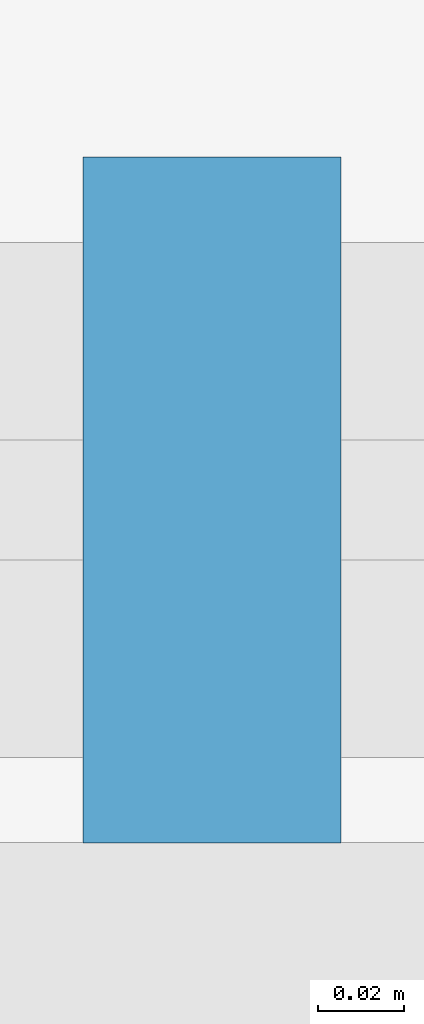
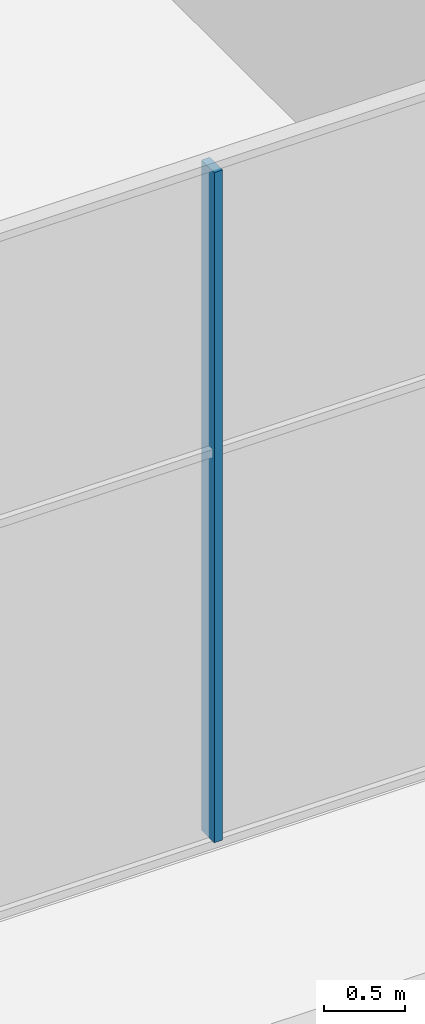
# One storey, part 4 of 23: 1 member, 1 element without a shape of its own.
"""IFC4 building model written with IfcOpenShell, lengths in metres."""

from ifc_helpers import new_model, si_unit, direction, frame, origin, origin_2d, place, context, subcontext, project, spatial, rectangle, extrude, material, material_profile, profile_set, type_object, element, aggregate, save


model = new_model("IFC4")

# Units and contexts
model_context = context("Model", 3, precision=1e-05, world=origin(), true_north=direction((0.0, 1.0)))
body_context = subcontext(model_context, "Body", "Model", "MODEL_VIEW")
ifc_project = project(units=[si_unit("LENGTHUNIT", "METRE"), si_unit("AREAUNIT", "SQUARE_METRE"), si_unit("VOLUMEUNIT", "CUBIC_METRE"), si_unit("PLANEANGLEUNIT", "RADIAN"), si_unit("MASSUNIT", "GRAM", prefix="KILO")], contexts=[model_context])

# Site, building, storey
site_placement = place(None, origin())
site = spatial("IfcSite", under=ifc_project, at=site_placement, CompositionType="ELEMENT")
building_placement = place(site_placement, origin())
building = spatial("IfcBuilding", under=site, at=building_placement, Name="Ogive Portal Towers", CompositionType="ELEMENT")
storey_placement = place(building_placement, frame((0.0, 0.0, 249.39990234375)))
storey = spatial("IfcBuildingStorey", under=building, at=storey_placement, Name="L62", CompositionType="ELEMENT", Elevation=249.39990234375)

# Curtain wall, member
ifc_material_1 = material(Name="Glass, clear low-iron insulated glazing", Category="glass")
curtain_wall_type = type_object("IfcCurtainWallType", Name="CW OBSERVATION WALL", PredefinedType="NOTDEFINED", material=ifc_material_1)
curtain_wall_placement = place(storey_placement, origin())
curtain_wall = element("IfcCurtainWall", 1, at=curtain_wall_placement, inside=storey, type_object=curtain_wall_type, Name="A:L62:f07:cw0", PredefinedType="NOTDEFINED")
ifc_material_2 = material(Name="Aluminium 6063 anodised", Category="aluminium")
ifc_material_profile = material_profile(ifc_material_2, rectangle(XDim=0.159912109375, YDim=0.06005859375, at=origin_2d()), Name="AL 60x160")
ifc_profile_set = profile_set([ifc_material_profile], Name="Aluminium 6063 anodised")
member_type = type_object("IfcMemberType", Name="CW MULLION 60x160", PredefinedType="MULLION", material=ifc_profile_set)
member_placement = place(storey_placement, frame((63.0, 19.679931640625, 0.06005859375), z_axis=(0.0, 0.0, 1.0), x_axis=(0.0, 1.0, 0.0)))
member = element("IfcMember", 2, at=member_placement, type_object=member_type, Name="mullion", PredefinedType="MULLION", context=body_context, shape_type="SweptSolid", body=[
    extrude(rectangle(XDim=0.159912109375, YDim=0.06005859375, at=origin_2d()), origin(), (0.0, 0.0, 1.0), 5.080078125),
])
aggregate(curtain_wall, [member])

save(model, "model.ifc")
